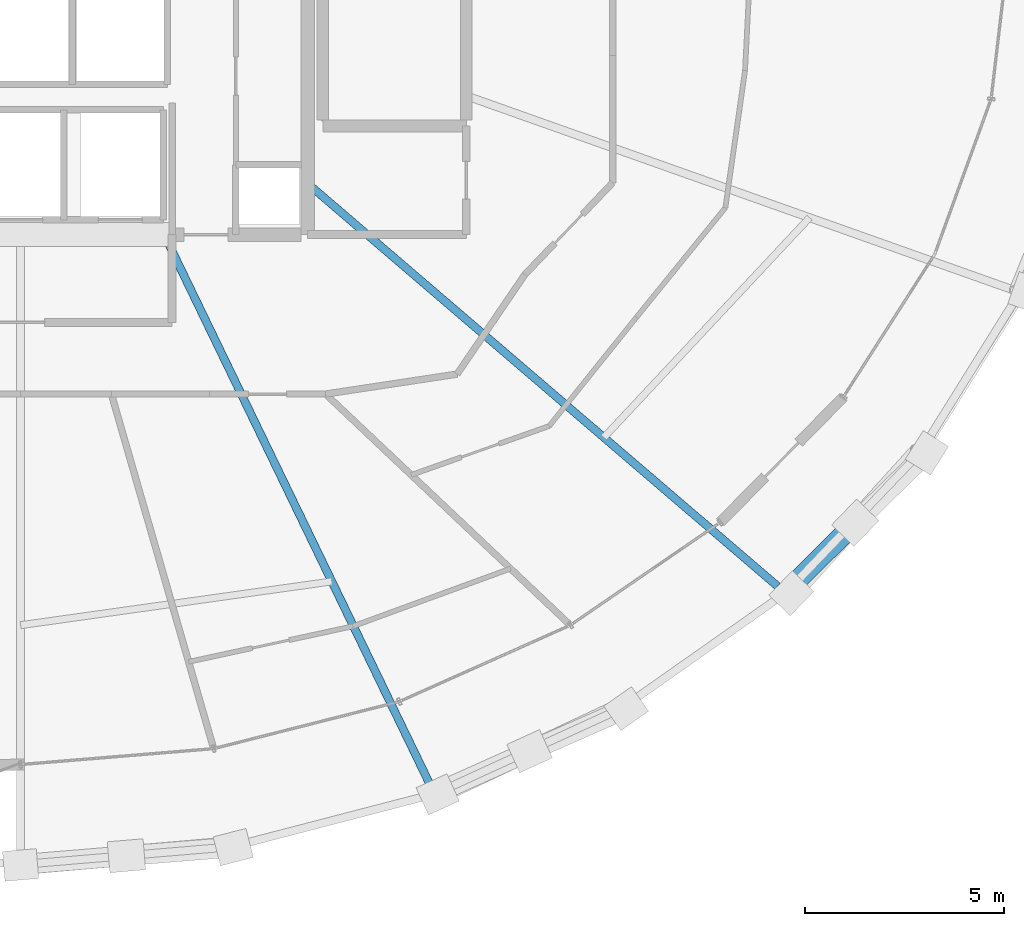
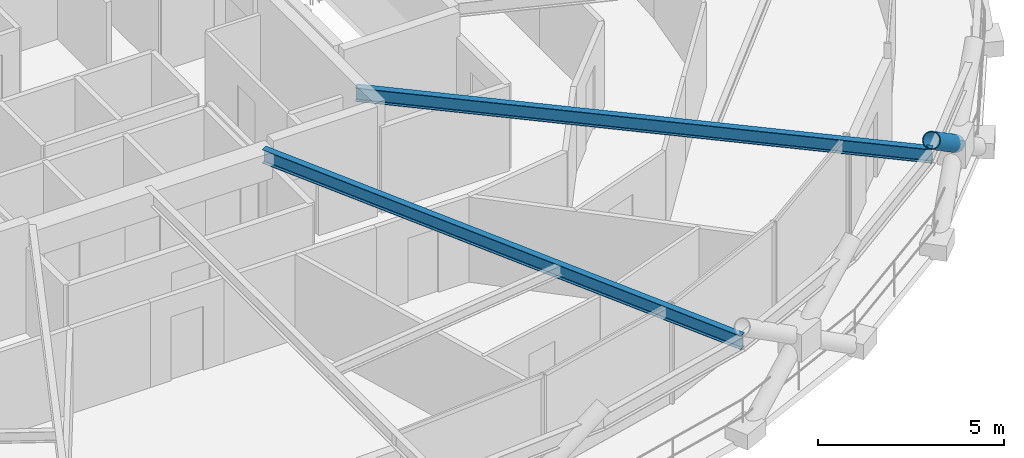
# One storey, part 5 of 16: 2 beams, 1 member.
"""IFC4 building model written with IfcOpenShell, lengths in metres."""

import ifcopenshell
import ifcopenshell.guid

model = None  # the IFC model being written
_history = None  # IfcOwnerHistory: only IFC2X3 demands one
_inside = {}  # id of a spatial element -> (the spatial element, [elements in it])
_under = {}  # id of a project, library or spatial element -> (it, [spatial elements below it])
_declared = {}  # id of a project -> (the project, [libraries it declares])
_typed = {}  # id of a type object -> (the type object, [elements of that type])
_made_of = {}  # id of a material, layer set ... -> (it, [elements and type objects made of it])


def new_model(schema):
    """Start an empty IFC model of exactly this schema.

    Asked for "IFC4X3", IfcOpenShell would pick the latest addendum, in which some entities
    have other attributes; the version numbers below select the first issue.
    IFC2X3 requires an IfcOwnerHistory on every rooted entity: one is made here for all.
    """
    global model, _history
    if schema == "IFC4X3":
        model = ifcopenshell.file(schema_version=(4, 3, 0, 0))
    else:
        model = ifcopenshell.file(schema=schema)
    _inside.clear()
    _under.clear()
    _declared.clear()
    _typed.clear()
    _made_of.clear()
    _history = None
    if model.schema == "IFC2X3":
        org = make("IfcOrganization", Name="unknown")
        user = make(
            "IfcPersonAndOrganization",
            ThePerson=make("IfcPerson", FamilyName="unknown"),
            TheOrganization=org,
        )
        app = make(
            "IfcApplication",
            ApplicationDeveloper=org,
            Version="unknown",
            ApplicationFullName="unknown",
            ApplicationIdentifier="unknown",
        )
        _history = make(
            "IfcOwnerHistory",
            OwningUser=user,
            OwningApplication=app,
            ChangeAction="ADDED",
            CreationDate=0,
        )
    return model


def make(cls, **values):
    """One entity of the class cls with the attributes given. An attribute that is None is left unset."""
    return model.create_entity(
        cls, **{name: value for name, value in values.items() if value is not None}
    )


def rooted(cls, **values):
    """An entity with a GlobalId (a new one), such as an element, a storey or a relation."""
    return make(cls, GlobalId=ifcopenshell.guid.new(), OwnerHistory=_history, **values)


def si_unit(unit_type, name, prefix=None):
    """IfcSIUnit, for example si_unit("LENGTHUNIT", "METRE", prefix="MILLI")."""
    return make("IfcSIUnit", UnitType=unit_type, Prefix=prefix, Name=name)


def assignment(units):
    """IfcUnitAssignment: the units of a project."""
    return None if units is None else make("IfcUnitAssignment", Units=units)


def point(xyz):
    """IfcCartesianPoint."""
    return None if xyz is None else make("IfcCartesianPoint", Coordinates=xyz)


def direction(xyz):
    """IfcDirection."""
    return None if xyz is None else make("IfcDirection", DirectionRatios=xyz)


def frame(location, z_axis=None, x_axis=None):
    """IfcAxis2Placement3D, a coordinate frame: its origin and axes. An axis left out is left unset."""
    return make(
        "IfcAxis2Placement3D",
        Location=point(location),
        Axis=direction(z_axis),
        RefDirection=direction(x_axis),
    )


def frame_2d(location, x_axis=None):
    """IfcAxis2Placement2D, a coordinate frame in the plane: its origin and x axis."""
    return make(
        "IfcAxis2Placement2D", Location=point(location), RefDirection=direction(x_axis)
    )


def origin():
    """The frame at (0, 0, 0) with its axes left unset."""
    return frame((0.0, 0.0, 0.0))


def origin_2d():
    """The frame at (0, 0) in the plane with its x axis left unset."""
    return frame_2d((0.0, 0.0))


def place(relative_to, where):
    """IfcLocalPlacement: puts the frame where relative to a parent placement (None: the world)."""
    return make(
        "IfcLocalPlacement", PlacementRelTo=relative_to, RelativePlacement=where
    )


def context(
    kind, dimensions, precision=None, world=None, true_north=None, identifier=None
):
    """IfcGeometricRepresentationContext, for example the 3D "Model" context."""
    return make(
        "IfcGeometricRepresentationContext",
        ContextIdentifier=identifier,
        ContextType=kind,
        CoordinateSpaceDimension=dimensions,
        Precision=precision,
        WorldCoordinateSystem=world,
        TrueNorth=true_north,
    )


def subcontext(parent, identifier, kind, view, scale=None):
    """IfcGeometricRepresentationSubContext, for example "Body" below "Model"."""
    return make(
        "IfcGeometricRepresentationSubContext",
        ContextIdentifier=identifier,
        ContextType=kind,
        ParentContext=parent,
        TargetScale=scale,
        TargetView=view,
    )


def project(units=None, contexts=None):
    """IfcProject with its units and contexts."""
    return rooted(
        "IfcProject",
        Name="project",
        RepresentationContexts=contexts,
        UnitsInContext=assignment(units),
    )


def spatial(cls, under=None, at=None, **own):
    """A site, building, storey or space (cls), placed at a placement, below another one or the project."""
    s = rooted(cls, ObjectPlacement=at, **own)
    if under is not None:
        _under.setdefault(under.id(), (under, []))[1].append(s)
    return s


def profile(cls, at=None, kind="AREA", **sizes):
    """A parametric profile (cls). Its sizes go by their IFC names, for example OverallWidth=200.0."""
    return make(cls, ProfileType=kind, Position=at, **sizes)


def hollow_circle(**sizes):
    """IfcCircleHollowProfileDef."""
    return profile("IfcCircleHollowProfileDef", **sizes)


def i_section(**sizes):
    """IfcIShapeProfileDef."""
    return profile("IfcIShapeProfileDef", **sizes)


def extrude(swept, where, along, depth):
    """IfcExtrudedAreaSolid: the profile swept, set in the frame where, extruded along a direction by depth."""
    return make(
        "IfcExtrudedAreaSolid",
        SweptArea=swept,
        Position=where,
        ExtrudedDirection=direction(along),
        Depth=depth,
    )


def shape(context_of_items, identifier, shape_type, items):
    """IfcShapeRepresentation: the items that make up one representation, for example the "Body"."""
    return make(
        "IfcShapeRepresentation",
        ContextOfItems=context_of_items,
        RepresentationIdentifier=identifier,
        RepresentationType=shape_type,
        Items=items,
    )


def material(Name=None, Category=None):
    """IfcMaterial."""
    return make("IfcMaterial", Name=Name, Category=Category)


def material_profile(
    of_material, cross_section, Name=None, Category=None, Priority=None
):
    """IfcMaterialProfile: a cross section and its material."""
    return make(
        "IfcMaterialProfile",
        Name=Name,
        Material=of_material,
        Profile=cross_section,
        Priority=Priority,
        Category=Category,
    )


def profile_set(profiles, Name=None, composite=None):
    """IfcMaterialProfileSet."""
    return make(
        "IfcMaterialProfileSet",
        Name=Name,
        MaterialProfiles=profiles,
        CompositeProfile=composite,
    )


def made_of(thing, what):
    """Note that an element or type object is made of a material, layer set ...; save() writes the relation."""
    if what is not None:
        _made_of.setdefault(what.id(), (what, []))[1].append(thing)
    return thing


def type_object(cls, material=None, **own):
    """A type object (cls), such as IfcWallType, which elements share."""
    return made_of(rooted(cls, **own), material)


def element(
    cls,
    number,
    at=None,
    inside=None,
    cuts=None,
    type_object=None,
    material=None,
    context=None,
    identifier="Body",
    shape_type=None,
    held_by="IfcProductDefinitionShape",
    body=None,
    shapes=None,
    **own,
):
    """One element of the class cls, such as IfcWall. Its Tag is "e" and its number.

    at: its placement. inside: the storey or other place that contains it. cuts: it is an
    opening in that element (IfcRelVoidsElement). A single representation is given by context,
    identifier, shape_type and body (its items); several are given by shapes. held_by: the class
    of the entity that holds the representations. save() writes the other relations.
    """
    e = rooted(cls, Tag="e%d" % number, ObjectPlacement=at, **own)
    if body is not None:
        shapes = [shape(context, identifier, shape_type, body)]
    if shapes is not None:
        e.Representation = make(held_by, Representations=shapes)
    if inside is not None:
        _inside.setdefault(inside.id(), (inside, []))[1].append(e)
    if cuts is not None:
        rooted(
            "IfcRelVoidsElement", RelatingBuildingElement=cuts, RelatedOpeningElement=e
        )
    if type_object is not None:
        _typed.setdefault(type_object.id(), (type_object, []))[1].append(e)
    return made_of(e, material)


def aggregate(whole, parts):
    """IfcRelAggregates: a whole, such as a stair, and the parts it consists of."""
    return rooted("IfcRelAggregates", RelatingObject=whole, RelatedObjects=parts)


def save(model, path):
    """Write the relations noted so far, then the file.

    IfcRelAggregates (storeys below a building ...), IfcRelContainedInSpatialStructure (elements
    in a storey), IfcRelDefinesByType, IfcRelAssociatesMaterial and IfcRelDeclares: one each for
    every whole, place, type object, material and project.
    """
    for whole, parts in _under.values():
        aggregate(whole, parts)
    for where, things in _inside.values():
        rooted(
            "IfcRelContainedInSpatialStructure",
            RelatedElements=things,
            RelatingStructure=where,
        )
    for kind, things in _typed.values():
        rooted("IfcRelDefinesByType", RelatedObjects=things, RelatingType=kind)
    for what, things in _made_of.values():
        rooted("IfcRelAssociatesMaterial", RelatedObjects=things, RelatingMaterial=what)
    for by, libraries in _declared.values():
        rooted("IfcRelDeclares", RelatingContext=by, RelatedDefinitions=libraries)
    model.write(path)


model = new_model("IFC4")

# Units and contexts
model_context = context("Model", 3, precision=1e-05, world=origin(), true_north=direction((0.0, 1.0)))
body_context = subcontext(model_context, "Body", "Model", "MODEL_VIEW")
ifc_project = project(units=[si_unit("LENGTHUNIT", "METRE"), si_unit("AREAUNIT", "SQUARE_METRE"), si_unit("VOLUMEUNIT", "CUBIC_METRE"), si_unit("PLANEANGLEUNIT", "RADIAN"), si_unit("MASSUNIT", "GRAM", prefix="KILO")], contexts=[model_context])

# Site, building, storey
site_placement = place(None, origin())
site = spatial("IfcSite", under=ifc_project, at=site_placement, CompositionType="ELEMENT")
building_placement = place(site_placement, origin())
building = spatial("IfcBuilding", under=site, at=building_placement, Name="Veldorina Hangang Commons", CompositionType="ELEMENT")
storey_placement = place(building_placement, frame((0.0, 0.0, 185.60009765625)))
storey = spatial("IfcBuildingStorey", under=building, at=storey_placement, Name="L48", CompositionType="ELEMENT", Elevation=185.60009765625)

# Beams
ifc_material_1 = material(Name="Steel SM355-TMC", Category="steel")
ifc_material_profile_1 = material_profile(ifc_material_1, i_section(OverallWidth=0.199951171875, OverallDepth=0.449951171875, WebThickness=0.009033203125, FlangeThickness=0.013916015625, FilletRadius=0.01611328125, at=origin_2d()), Name="H-450x200x9x14")
ifc_profile_set_1 = profile_set([ifc_material_profile_1], Name="Steel SM355-TMC")
beam_type = type_object("IfcBeamType", Name="BM-FG450", PredefinedType="BEAM", material=ifc_profile_set_1)
beam_1_placement = place(storey_placement, frame((35.601318359375, 16.550048828125, 3.125), z_axis=(0.435219448184, -0.900324403714, 0.0), x_axis=(0.900324403714, 0.435219448184, 0.0)))
element("IfcBeam", 1, at=beam_1_placement, inside=storey, type_object=beam_type, Name="L48 radial floor girder 14", PredefinedType="BEAM", context=body_context, shape_type="SweptSolid", body=[
    extrude(i_section(OverallWidth=0.199951171875, OverallDepth=0.449951171875, WebThickness=0.009033203125, FlangeThickness=0.013916015625, FilletRadius=0.01611328125, at=origin_2d()), origin(), (0.0, 0.0, 1.0), 15.5869140625),
])
beam_2_placement = place(storey_placement, frame((39.199951171875, 17.83056640625, 3.125), z_axis=(0.759361379825, -0.650669113167, 0.0), x_axis=(0.650669113167, 0.759361379825, 0.0)))
element("IfcBeam", 2, at=beam_2_placement, inside=storey, type_object=beam_type, Name="L48 radial floor girder 15", PredefinedType="BEAM", context=body_context, shape_type="SweptSolid", body=[
    extrude(i_section(OverallWidth=0.199951171875, OverallDepth=0.449951171875, WebThickness=0.009033203125, FlangeThickness=0.013916015625, FilletRadius=0.01611328125, at=origin_2d()), origin(), (0.0, 0.0, 1.0), 15.788330078125),
])

# Member
ifc_material_2 = material(Name="Steel SM420-TMC", Category="steel")
ifc_material_profile_2 = material_profile(ifc_material_2, hollow_circle(Radius=0.25, WallThickness=0.02490234375, at=origin_2d()), Name="CHS-500x25")
ifc_profile_set_2 = profile_set([ifc_material_profile_2], Name="Steel SM420-TMC")
member_type = type_object("IfcMemberType", Name="DG-CHS500", PredefinedType="BRACE", material=ifc_profile_set_2)
member_placement = place(storey_placement, frame((52.93896484375, 9.3203125, 1.803955078125), z_axis=(-0.576168548491, -0.572361267334, 0.583465837376), x_axis=(0.704758908634, -0.709446883636, 0.0)))
element("IfcMember", 3, at=member_placement, inside=storey, type_object=member_type, Name="L48 split perimeter diagrid upper brace 29", PredefinedType="BRACE", context=body_context, shape_type="SweptSolid", body=[
    extrude(hollow_circle(Radius=0.25, WallThickness=0.02490234375, at=origin_2d()), origin(), (0.0, 0.0, 1.0), 3.077880859375),
])

save(model, "model.ifc")
